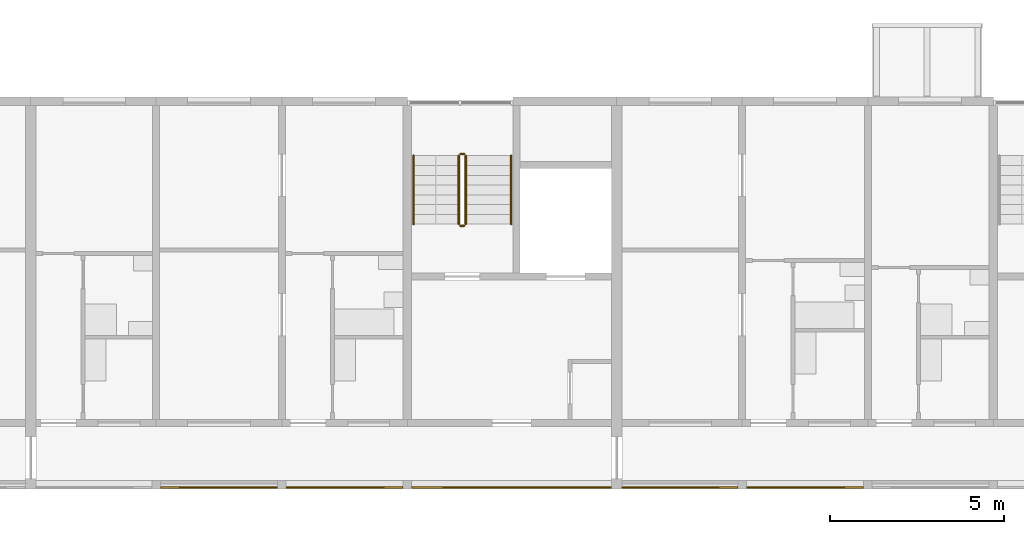
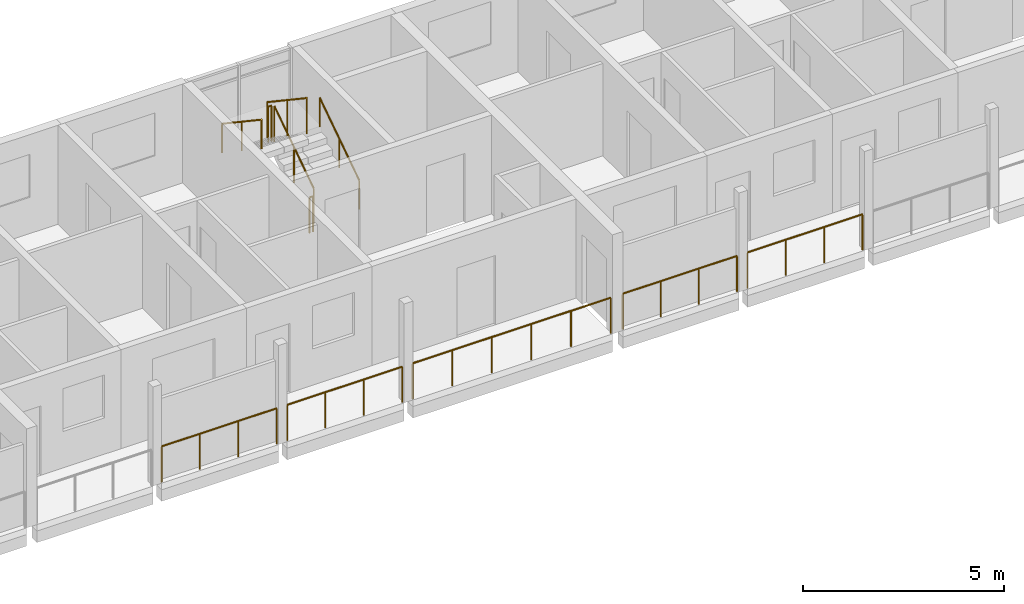
# One storey, part 84 of 94: 11 railings.
"""IFC4 building model written with IfcOpenShell, lengths in metres."""

from ifc_helpers import new_model, si_unit, direction, frame, origin, origin_2d, place, context, subcontext, project, spatial, circle, extrude, material, type_object, element, save


model = new_model("IFC4")

# Units and contexts
model_context = context("Model", 3, precision=1e-05, world=origin(), true_north=direction((0.0, 1.0)))
body_context = subcontext(model_context, "Body", "Model", "MODEL_VIEW")
ifc_project = project(units=[si_unit("LENGTHUNIT", "METRE"), si_unit("AREAUNIT", "SQUARE_METRE"), si_unit("VOLUMEUNIT", "CUBIC_METRE"), si_unit("PLANEANGLEUNIT", "RADIAN"), si_unit("MASSUNIT", "GRAM", prefix="KILO")], contexts=[model_context])

# Site, building, storey
site_placement = place(None, origin())
site = spatial("IfcSite", under=ifc_project, at=site_placement, CompositionType="ELEMENT")
building_placement = place(site_placement, origin())
building = spatial("IfcBuilding", under=site, at=building_placement, Name="Ridgestep Commons", CompositionType="ELEMENT")
storey_placement = place(building_placement, frame((0.0, 0.0, 21.0)))
storey = spatial("IfcBuildingStorey", under=building, at=storey_placement, Name="L07", CompositionType="ELEMENT", Elevation=21.0)

# Railings
ifc_material_1 = material(Name="Structural steel S355JR", Category="steel")
railing_type_1 = type_object("IfcRailingType", Name="Guard 1100", PredefinedType="GUARDRAIL", material=ifc_material_1)
railing_1_placement = place(storey_placement, frame((184.14599609375, 11.800048828125, 0.0)))
element("IfcRailing", 1, at=railing_1_placement, inside=storey, type_object=railing_type_1, Name="Gallery guard D 07.10", PredefinedType="GUARDRAIL", context=body_context, shape_type="SweptSolid", body=[
    extrude(circle(Radius=0.02392578125, at=origin_2d()), frame((0.0, 0.0, 1.076171875), z_axis=(1.0, 0.0, 0.0), x_axis=(0.0, 1.0, 0.0)), (0.0, 0.0, 1.0), 3.30810546875),
    extrude(circle(Radius=0.02099609375, at=origin_2d()), origin(), (0.0, 0.0, 1.0), 1.052001953125),
    extrude(circle(Radius=0.02099609375, at=origin_2d()), frame((1.102783203125, 0.0, 0.0)), (0.0, 0.0, 1.0), 1.052001953125),
    extrude(circle(Radius=0.02099609375, at=origin_2d()), frame((2.205322265625, 0.0, 0.0)), (0.0, 0.0, 1.0), 1.052001953125),
    extrude(circle(Radius=0.02099609375, at=origin_2d()), frame((3.30810546875, 0.0, 0.0)), (0.0, 0.0, 1.0), 1.052001953125),
])
railing_2_placement = place(storey_placement, frame((187.74609375, 11.800048828125, 0.0)))
element("IfcRailing", 2, at=railing_2_placement, inside=storey, type_object=railing_type_1, Name="Gallery guard D 07.11", PredefinedType="GUARDRAIL", context=body_context, shape_type="SweptSolid", body=[
    extrude(circle(Radius=0.02392578125, at=origin_2d()), frame((0.0, 0.0, 1.076171875), z_axis=(1.0, 0.0, 0.0), x_axis=(0.0, 1.0, 0.0)), (0.0, 0.0, 1.0), 3.307861328125),
    extrude(circle(Radius=0.02099609375, at=origin_2d()), origin(), (0.0, 0.0, 1.0), 1.052001953125),
    extrude(circle(Radius=0.02099609375, at=origin_2d()), frame((1.1025390625, 0.0, 0.0)), (0.0, 0.0, 1.0), 1.052001953125),
    extrude(circle(Radius=0.02099609375, at=origin_2d()), frame((2.205322265625, 0.0, 0.0)), (0.0, 0.0, 1.0), 1.052001953125),
    extrude(circle(Radius=0.02099609375, at=origin_2d()), frame((3.307861328125, 0.0, 0.0)), (0.0, 0.0, 1.0), 1.052001953125),
])
railing_3_placement = place(storey_placement, frame((191.345947265625, 11.800048828125, 0.0)))
element("IfcRailing", 3, at=railing_3_placement, inside=storey, type_object=railing_type_1, Name="Gallery guard D 07.12", PredefinedType="GUARDRAIL", context=body_context, shape_type="SweptSolid", body=[
    extrude(circle(Radius=0.02392578125, at=origin_2d()), frame((0.0, 0.0, 1.076171875), z_axis=(1.0, 0.0, 0.0), x_axis=(0.0, 1.0, 0.0)), (0.0, 0.0, 1.0), 5.68310546875),
    extrude(circle(Radius=0.02099609375, at=origin_2d()), origin(), (0.0, 0.0, 1.0), 1.052001953125),
    extrude(circle(Radius=0.02099609375, at=origin_2d()), frame((1.13671875, 0.0, 0.0)), (0.0, 0.0, 1.0), 1.052001953125),
    extrude(circle(Radius=0.02099609375, at=origin_2d()), frame((2.273193359375, 0.0, 0.0)), (0.0, 0.0, 1.0), 1.052001953125),
    extrude(circle(Radius=0.02099609375, at=origin_2d()), frame((3.409912109375, 0.0, 0.0)), (0.0, 0.0, 1.0), 1.052001953125),
    extrude(circle(Radius=0.02099609375, at=origin_2d()), frame((4.54638671875, 0.0, 0.0)), (0.0, 0.0, 1.0), 1.052001953125),
    extrude(circle(Radius=0.02099609375, at=origin_2d()), frame((5.68310546875, 0.0, 0.0)), (0.0, 0.0, 1.0), 1.052001953125),
])
railing_4_placement = place(storey_placement, frame((197.37109375, 11.800048828125, 0.0)))
element("IfcRailing", 4, at=railing_4_placement, inside=storey, type_object=railing_type_1, Name="Gallery guard D 07.13", PredefinedType="GUARDRAIL", context=body_context, shape_type="SweptSolid", body=[
    extrude(circle(Radius=0.02392578125, at=origin_2d()), frame((0.0, 0.0, 1.076171875), z_axis=(1.0, 0.0, 0.0), x_axis=(0.0, 1.0, 0.0)), (0.0, 0.0, 1.0), 3.282958984375),
    extrude(circle(Radius=0.02099609375, at=origin_2d()), origin(), (0.0, 0.0, 1.0), 1.052001953125),
    extrude(circle(Radius=0.02099609375, at=origin_2d()), frame((1.09423828125, 0.0, 0.0)), (0.0, 0.0, 1.0), 1.052001953125),
    extrude(circle(Radius=0.02099609375, at=origin_2d()), frame((2.188720703125, 0.0, 0.0)), (0.0, 0.0, 1.0), 1.052001953125),
    extrude(circle(Radius=0.02099609375, at=origin_2d()), frame((3.282958984375, 0.0, 0.0)), (0.0, 0.0, 1.0), 1.052001953125),
])
railing_5_placement = place(storey_placement, frame((200.946044921875, 11.800048828125, 0.0)))
element("IfcRailing", 5, at=railing_5_placement, inside=storey, type_object=railing_type_1, Name="Gallery guard D 07.14", PredefinedType="GUARDRAIL", context=body_context, shape_type="SweptSolid", body=[
    extrude(circle(Radius=0.02392578125, at=origin_2d()), frame((0.0, 0.0, 1.076171875), z_axis=(1.0, 0.0, 0.0), x_axis=(0.0, 1.0, 0.0)), (0.0, 0.0, 1.0), 3.307861328125),
    extrude(circle(Radius=0.02099609375, at=origin_2d()), origin(), (0.0, 0.0, 1.0), 1.052001953125),
    extrude(circle(Radius=0.02099609375, at=origin_2d()), frame((1.1025390625, 0.0, 0.0)), (0.0, 0.0, 1.0), 1.052001953125),
    extrude(circle(Radius=0.02099609375, at=origin_2d()), frame((2.205322265625, 0.0, 0.0)), (0.0, 0.0, 1.0), 1.052001953125),
    extrude(circle(Radius=0.02099609375, at=origin_2d()), frame((3.307861328125, 0.0, 0.0)), (0.0, 0.0, 1.0), 1.052001953125),
])
ifc_material_2 = material(Name="Structural steel S355JR", Category="steel")
railing_type_2 = type_object("IfcRailingType", Name="Stair guard 1100", PredefinedType="GUARDRAIL", material=ifc_material_2)
railing_6_placement = place(storey_placement, frame((192.875, 19.35009765625, 0.1875)))
element("IfcRailing", 6, at=railing_6_placement, inside=storey, type_object=railing_type_2, Name="L07 D3C stair guard 1", PredefinedType="GUARDRAIL", context=body_context, shape_type="SweptSolid", body=[
    extrude(circle(Radius=0.02392578125, at=origin_2d()), frame((0.0, 0.0, 1.076171875), z_axis=(0.0, 0.830902050051, 0.556418712142), x_axis=(-1.0, 0.0, 0.0)), (0.0, 0.0, 1.0), 2.35888671875),
    extrude(circle(Radius=0.02099609375, at=origin_2d()), origin(), (0.0, 0.0, 1.0), 1.052001953125),
    extrude(circle(Radius=0.02099609375, at=origin_2d()), frame((0.0, 0.97998046875, 0.65625)), (0.0, 0.0, 1.0), 1.052001953125),
    extrude(circle(Radius=0.02099609375, at=origin_2d()), frame((0.0, 1.9599609375, 1.3125)), (0.0, 0.0, 1.0), 1.052001953125),
])
railing_7_placement = place(storey_placement, frame((192.824951171875, 21.360107421875, 1.5)))
element("IfcRailing", 7, at=railing_7_placement, inside=storey, type_object=railing_type_2, Name="L07 D3C stair guard 2", PredefinedType="GUARDRAIL", context=body_context, shape_type="SweptSolid", body=[
    extrude(circle(Radius=0.02392578125, at=origin_2d()), frame((0.0, 0.0, 1.076171875), z_axis=(-1.0, 0.0, 0.0), x_axis=(0.0, -1.0, 0.0)), (0.0, 0.0, 1.0), 0.099853515625),
    extrude(circle(Radius=0.02099609375, at=origin_2d()), origin(), (0.0, 0.0, 1.0), 1.052001953125),
    extrude(circle(Radius=0.02099609375, at=origin_2d()), frame((-0.099853515625, 0.0, 0.0)), (0.0, 0.0, 1.0), 1.052001953125),
])
railing_8_placement = place(storey_placement, frame((192.675048828125, 21.31005859375, 1.6875)))
element("IfcRailing", 8, at=railing_8_placement, inside=storey, type_object=railing_type_2, Name="L07 D3C stair guard 3", PredefinedType="GUARDRAIL", context=body_context, shape_type="SweptSolid", body=[
    extrude(circle(Radius=0.02392578125, at=origin_2d()), frame((0.0, 0.0, 1.076171875), z_axis=(0.0, -0.830902050051, 0.556418712142), x_axis=(1.0, 0.0, 0.0)), (0.0, 0.0, 1.0), 2.35888671875),
    extrude(circle(Radius=0.02099609375, at=origin_2d()), origin(), (0.0, 0.0, 1.0), 1.052001953125),
    extrude(circle(Radius=0.02099609375, at=origin_2d()), frame((0.0, -0.97998046875, 0.65625)), (0.0, 0.0, 1.0), 1.052001953125),
    extrude(circle(Radius=0.02099609375, at=origin_2d()), frame((0.0, -1.9599609375, 1.3125)), (0.0, 0.0, 1.0), 1.052001953125),
])
railing_9_placement = place(storey_placement, frame((192.824951171875, 19.300048828125, 0.0)))
element("IfcRailing", 9, at=railing_9_placement, inside=storey, type_object=railing_type_2, Name="L07 D3C stair guard 4", PredefinedType="GUARDRAIL", context=body_context, shape_type="SweptSolid", body=[
    extrude(circle(Radius=0.02392578125, at=origin_2d()), frame((0.0, 0.0, 1.076171875), z_axis=(-1.0, 0.0, 0.0), x_axis=(0.0, -1.0, 0.0)), (0.0, 0.0, 1.0), 0.099853515625),
    extrude(circle(Radius=0.02099609375, at=origin_2d()), origin(), (0.0, 0.0, 1.0), 1.052001953125),
    extrude(circle(Radius=0.02099609375, at=origin_2d()), frame((-0.099853515625, 0.0, 0.0)), (0.0, 0.0, 1.0), 1.052001953125),
])
ifc_material_3 = material(Name="Structural steel S355JR", Category="steel")
railing_type_3 = type_object("IfcRailingType", Name="Stair handrail 900", PredefinedType="HANDRAIL", material=ifc_material_3)
railing_10_placement = place(storey_placement, frame((194.175048828125, 19.35009765625, 0.1875)))
element("IfcRailing", 10, at=railing_10_placement, inside=storey, type_object=railing_type_3, Name="L07 D3C stair handrail 1", PredefinedType="HANDRAIL", context=body_context, shape_type="SweptSolid", body=[
    extrude(circle(Radius=0.02392578125, at=origin_2d()), frame((0.0, 0.0, 0.8759765625), z_axis=(0.0, 0.830902050051, 0.556418712142), x_axis=(-1.0, 0.0, 0.0)), (0.0, 0.0, 1.0), 2.35888671875),
    extrude(circle(Radius=0.02099609375, at=origin_2d()), origin(), (0.0, 0.0, 1.0), 0.851806640625),
    extrude(circle(Radius=0.02099609375, at=origin_2d()), frame((0.0, 0.97998046875, 0.65625)), (0.0, 0.0, 1.0), 0.851806640625),
    extrude(circle(Radius=0.02099609375, at=origin_2d()), frame((0.0, 1.9599609375, 1.3125)), (0.0, 0.0, 1.0), 0.851806640625),
])
railing_11_placement = place(storey_placement, frame((191.375, 21.31005859375, 1.6875)))
element("IfcRailing", 11, at=railing_11_placement, inside=storey, type_object=railing_type_3, Name="L07 D3C stair handrail 2", PredefinedType="HANDRAIL", context=body_context, shape_type="SweptSolid", body=[
    extrude(circle(Radius=0.02392578125, at=origin_2d()), frame((0.0, 0.0, 0.8759765625), z_axis=(0.0, -0.830902050051, 0.556418712142), x_axis=(1.0, 0.0, 0.0)), (0.0, 0.0, 1.0), 2.35888671875),
    extrude(circle(Radius=0.02099609375, at=origin_2d()), origin(), (0.0, 0.0, 1.0), 0.851806640625),
    extrude(circle(Radius=0.02099609375, at=origin_2d()), frame((0.0, -0.97998046875, 0.65625)), (0.0, 0.0, 1.0), 0.851806640625),
    extrude(circle(Radius=0.02099609375, at=origin_2d()), frame((0.0, -1.9599609375, 1.3125)), (0.0, 0.0, 1.0), 0.851806640625),
])

save(model, "model.ifc")
